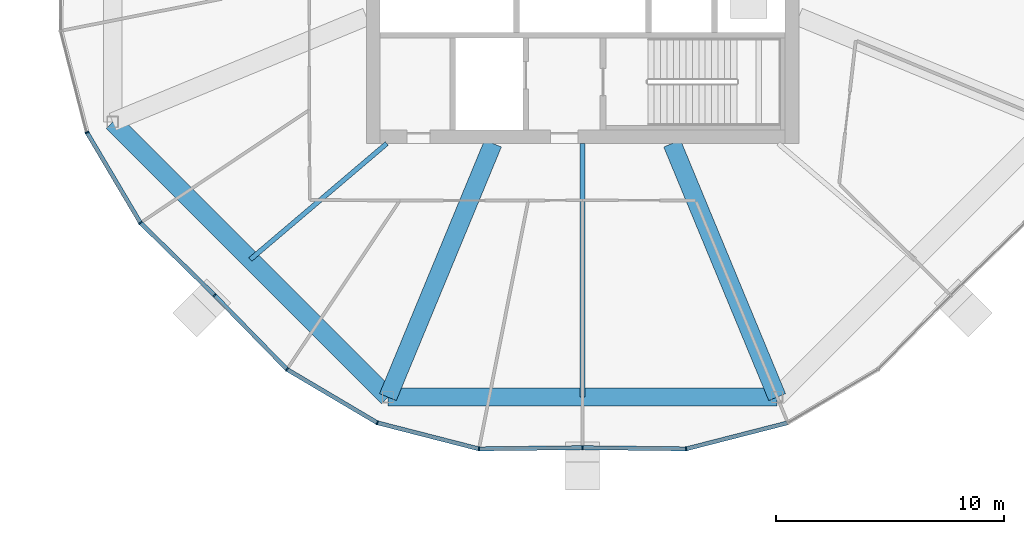
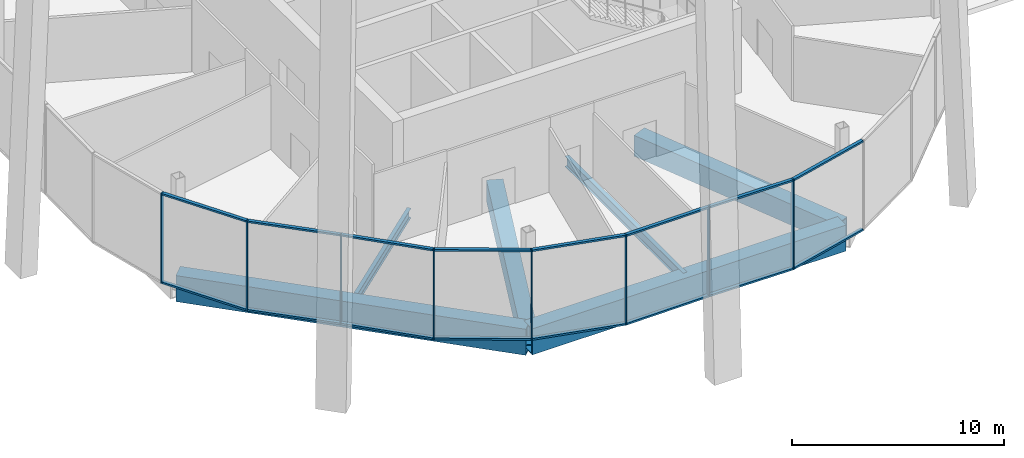
# One storey, part 3 of 28: 24 members, 6 beams, 3 elements without a shape of their own.
"""IFC4 building model written with IfcOpenShell, lengths in metres."""

from ifc_helpers import new_model, si_unit, direction, frame, origin, origin_2d, place, context, subcontext, project, spatial, rectangle, hollow_rectangle, i_section, extrude, material, material_profile, profile_set, type_object, element, aggregate, save


model = new_model("IFC4")

# Units and contexts
model_context = context("Model", 3, precision=1e-05, world=origin(), true_north=direction((0.0, 1.0)))
body_context = subcontext(model_context, "Body", "Model", "MODEL_VIEW")
ifc_project = project(units=[si_unit("LENGTHUNIT", "METRE"), si_unit("AREAUNIT", "SQUARE_METRE"), si_unit("VOLUMEUNIT", "CUBIC_METRE"), si_unit("PLANEANGLEUNIT", "RADIAN"), si_unit("MASSUNIT", "GRAM", prefix="KILO")], contexts=[model_context])

# Site, building, storey
site_placement = place(None, origin())
site = spatial("IfcSite", under=ifc_project, at=site_placement, CompositionType="ELEMENT")
building_placement = place(site_placement, origin())
building = spatial("IfcBuilding", under=site, at=building_placement, Name="Ogive Gate Towers", CompositionType="ELEMENT")
storey_placement = place(building_placement, frame((0.0, 0.0, 135.60009765625)))
storey = spatial("IfcBuildingStorey", under=building, at=storey_placement, Name="L32", CompositionType="ELEMENT", Elevation=135.60009765625)

# Beams
ifc_material_1 = material(Name="Steel SM460", Category="steel")
ifc_material_profile_1 = material_profile(ifc_material_1, hollow_rectangle(XDim=0.800048828125, YDim=1.5, WallThickness=0.06005859375, at=origin_2d()), Name="BX 1500x800x60")
ifc_profile_set_1 = profile_set([ifc_material_profile_1], Name="Steel SM460")
beam_type_1 = type_object("IfcBeamType", Name="Edge girder BX 1500x800x60", PredefinedType="BEAM", material=ifc_profile_set_1)
beam_1_placement = place(storey_placement, frame((-56.639404296875, -8.549072265625, -1.050048828125), z_axis=(0.707106781187, -0.707106781187, 0.0), x_axis=(0.707106781187, 0.707106781187, 0.0)))
element("IfcBeam", 1, at=beam_1_placement, inside=storey, type_object=beam_type_1, Name="T1/L32/SBM017", PredefinedType="BEAM", context=body_context, shape_type="SweptSolid", body=[
    extrude(hollow_rectangle(XDim=0.800048828125, YDim=1.5, WallThickness=0.06005859375, at=origin_2d()), origin(), (0.0, 0.0, 1.0), 17.098388671875),
])
beam_2_placement = place(storey_placement, frame((-44.549072265625, -20.639404296875, -1.050048828125), z_axis=(1.0, 0.0, 0.0), x_axis=(0.0, 1.0, 0.0)))
element("IfcBeam", 2, at=beam_2_placement, inside=storey, type_object=beam_type_1, Name="T1/L32/SBM018", PredefinedType="BEAM", context=body_context, shape_type="SweptSolid", body=[
    extrude(hollow_rectangle(XDim=0.800048828125, YDim=1.5, WallThickness=0.06005859375, at=origin_2d()), origin(), (0.0, 0.0, 1.0), 17.09814453125),
])
ifc_material_2 = material(Name="Steel SM355", Category="steel")
ifc_material_profile_2 = material_profile(ifc_material_2, i_section(OverallWidth=0.2099609375, OverallDepth=0.550048828125, WebThickness=0.010986328125, FlangeThickness=0.01708984375, FilletRadius=0.02392578125, at=origin_2d()), Name="IPE 550")
ifc_profile_set_2 = profile_set([ifc_material_profile_2], Name="Steel SM355")
beam_type_2 = type_object("IfcBeamType", Name="Radial floor beam IPE 550", PredefinedType="BEAM", material=ifc_profile_set_2)
beam_3_placement = place(storey_placement, frame((-44.60009765625, -9.5, -0.5751953125), z_axis=(-0.761988324045, -0.647590761222, 0.0), x_axis=(0.647590761222, -0.761988324045, 0.0)))
element("IfcBeam", 3, at=beam_3_placement, inside=storey, type_object=beam_type_2, Name="T1/L32/SBM002", PredefinedType="BEAM", context=body_context, shape_type="SweptSolid", body=[
    extrude(i_section(OverallWidth=0.2099609375, OverallDepth=0.550048828125, WebThickness=0.010986328125, FlangeThickness=0.01708984375, FilletRadius=0.02392578125, at=origin_2d()), origin(), (0.0, 0.0, 1.0), 7.866455078125),
])
ifc_material_profile_3 = material_profile(ifc_material_2, i_section(OverallWidth=0.219970703125, OverallDepth=0.60009765625, WebThickness=0.011962890625, FlangeThickness=0.01904296875, FilletRadius=0.02392578125, at=origin_2d()), Name="IPE 600")
ifc_profile_set_3 = profile_set([ifc_material_profile_3], Name="Steel SM355")
beam_type_3 = type_object("IfcBeamType", Name="Radial floor beam IPE 600", PredefinedType="BEAM", material=ifc_profile_set_3)
beam_4_placement = place(storey_placement, frame((-36.0, -9.5, -0.60009765625), z_axis=(0.0, -1.0, 0.0), x_axis=(1.0, 0.0, 0.0)))
element("IfcBeam", 4, at=beam_4_placement, inside=storey, type_object=beam_type_3, Name="T1/L32/SBM004", PredefinedType="BEAM", context=body_context, shape_type="SweptSolid", body=[
    extrude(i_section(OverallWidth=0.219970703125, OverallDepth=0.60009765625, WebThickness=0.011962890625, FlangeThickness=0.01904296875, FilletRadius=0.02392578125, at=origin_2d()), origin(), (0.0, 0.0, 1.0), 11.139404296875),
])

# Curtain wall, members
ifc_material_3 = material(Name="Pale metal aluminium", Category="aluminium")
curtain_wall_type = type_object("IfcCurtainWallType", Name="Tower unitised wall, high zone", PredefinedType="NOTDEFINED", material=ifc_material_3)
curtain_wall_1_placement = place(storey_placement, origin())
curtain_wall_1 = element("IfcCurtainWall", 5, at=curtain_wall_1_placement, inside=storey, type_object=curtain_wall_type, Name="CW2 T1 ECW05", PredefinedType="NOTDEFINED")
ifc_material_profile_4 = material_profile(ifc_material_3, rectangle(XDim=0.179931640625, YDim=0.06005859375, at=origin_2d()), Name="60 x 180 aluminium box")
ifc_profile_set_4 = profile_set([ifc_material_profile_4], Name="Pale metal aluminium")
member_type_1 = type_object("IfcMemberType", Name="Tower unitised wall, high zone mullion 60 x 180", PredefinedType="MULLION", material=ifc_profile_set_4)
member_1_placement = place(storey_placement, frame((-57.767578125, -9.016357421875, -0.300048828125), z_axis=(0.0, 0.0, 1.0), x_axis=(-0.923879532511, -0.382683432365, 0.0)))
member_1 = element("IfcMember", 6, at=member_1_placement, type_object=member_type_1, Name="CW2 mullion", PredefinedType="MULLION", context=body_context, shape_type="SweptSolid", body=[
    extrude(rectangle(XDim=0.179931640625, YDim=0.06005859375, at=origin_2d()), origin(), (0.0, 0.0, 1.0), 5.199951171875),
])
member_2_placement = place(storey_placement, frame((-55.419677734375, -12.984130859375, -0.300048828125), z_axis=(0.0, 0.0, 1.0), x_axis=(-0.78650405792, -0.617585109014, 0.0)))
member_2 = element("IfcMember", 7, at=member_2_placement, type_object=member_type_1, Name="CW2 mullion", PredefinedType="MULLION", context=body_context, shape_type="SweptSolid", body=[
    extrude(rectangle(XDim=0.179931640625, YDim=0.06005859375, at=origin_2d()), origin(), (0.0, 0.0, 1.0), 5.199951171875),
])
member_3_placement = place(storey_placement, frame((-52.16455078125, -16.164306640625, -0.300048828125), z_axis=(0.0, 0.0, 1.0), x_axis=(-0.698814894711, -0.715302553421, 0.0)))
member_3 = element("IfcMember", 8, at=member_3_placement, type_object=member_type_1, Name="CW2 mullion", PredefinedType="MULLION", context=body_context, shape_type="SweptSolid", body=[
    extrude(rectangle(XDim=0.179931640625, YDim=0.06005859375, at=origin_2d()), origin(), (0.0, 0.0, 1.0), 5.199951171875),
])

curtain_wall_2_placement = place(storey_placement, origin())
curtain_wall_2 = element("IfcCurtainWall", 9, at=curtain_wall_2_placement, inside=storey, type_object=curtain_wall_type, Name="CW2 T1 ECW06", PredefinedType="NOTDEFINED")
member_4_placement = place(storey_placement, frame((-48.984130859375, -19.419677734375, -0.300048828125), z_axis=(0.0, 0.0, 1.0), x_axis=(-0.617585109014, -0.78650405792, 0.0)))
member_4 = element("IfcMember", 10, at=member_4_placement, type_object=member_type_1, Name="CW2 mullion", PredefinedType="MULLION", context=body_context, shape_type="SweptSolid", body=[
    extrude(rectangle(XDim=0.179931640625, YDim=0.06005859375, at=origin_2d()), origin(), (0.0, 0.0, 1.0), 5.199951171875),
])
member_5_placement = place(storey_placement, frame((-45.016357421875, -21.767578125, -0.300048828125), z_axis=(0.0, 0.0, 1.0), x_axis=(-0.382683432365, -0.923879532511, 0.0)))
member_5 = element("IfcMember", 11, at=member_5_placement, type_object=member_type_1, Name="CW2 mullion", PredefinedType="MULLION", context=body_context, shape_type="SweptSolid", body=[
    extrude(rectangle(XDim=0.179931640625, YDim=0.06005859375, at=origin_2d()), origin(), (0.0, 0.0, 1.0), 5.199951171875),
])
member_6_placement = place(storey_placement, frame((-40.550537109375, -22.9130859375, -0.300048828125), z_axis=(0.0, 0.0, 1.0), x_axis=(-0.119443734243, -0.992840971329, 0.0)))
member_6 = element("IfcMember", 12, at=member_6_placement, type_object=member_type_1, Name="CW2 mullion", PredefinedType="MULLION", context=body_context, shape_type="SweptSolid", body=[
    extrude(rectangle(XDim=0.179931640625, YDim=0.06005859375, at=origin_2d()), origin(), (0.0, 0.0, 1.0), 5.199951171875),
])
member_7_placement = place(storey_placement, frame((-36.0, -22.860107421875, -0.300048828125), z_axis=(0.0, 0.0, 1.0), x_axis=(0.011641083172, -0.999932240296, 0.0)))
member_7 = element("IfcMember", 13, at=member_7_placement, type_object=member_type_1, Name="CW2 mullion", PredefinedType="MULLION", context=body_context, shape_type="SweptSolid", body=[
    extrude(rectangle(XDim=0.179931640625, YDim=0.06005859375, at=origin_2d()), origin(), (0.0, 0.0, 1.0), 5.199951171875),
])

# Curtain wall, member
curtain_wall_3_placement = place(storey_placement, origin())
curtain_wall_3 = element("IfcCurtainWall", 14, at=curtain_wall_3_placement, inside=storey, type_object=curtain_wall_type, Name="CW2 T1 ECW07", PredefinedType="NOTDEFINED")
member_8_placement = place(storey_placement, frame((-31.449462890625, -22.9130859375, -0.300048828125), z_axis=(0.0, 0.0, 1.0), x_axis=(0.119443734243, -0.992840971329, 0.0)))
member_8 = element("IfcMember", 15, at=member_8_placement, type_object=member_type_1, Name="CW2 mullion", PredefinedType="MULLION", context=body_context, shape_type="SweptSolid", body=[
    extrude(rectangle(XDim=0.179931640625, YDim=0.06005859375, at=origin_2d()), origin(), (0.0, 0.0, 1.0), 5.199951171875),
])

# Member
ifc_material_profile_5 = material_profile(ifc_material_3, rectangle(XDim=0.179931640625, YDim=0.10009765625, at=origin_2d()), Name="100 x 180 aluminium box")
ifc_profile_set_5 = profile_set([ifc_material_profile_5], Name="Pale metal aluminium")
member_type_2 = type_object("IfcMemberType", Name="Tower unitised wall, high zone transom 100 x 180", PredefinedType="USERDEFINED", material=ifc_profile_set_5)
member_9_placement = place(storey_placement, frame((-57.7529296875, -9.041015625, 4.849853515625), z_axis=(0.509242279072, -0.860623205128, 0.0), x_axis=(0.860623205128, 0.509242279072, 0.0)))
member_9 = element("IfcMember", 16, at=member_9_placement, type_object=member_type_2, Name="CW2 transom", ObjectType="TRANSOM", PredefinedType="USERDEFINED", context=body_context, shape_type="SweptSolid", body=[
    extrude(rectangle(XDim=0.179931640625, YDim=0.10009765625, at=origin_2d()), origin(), (0.0, 0.0, 1.0), 4.552978515625),
])

member_10_placement = place(storey_placement, frame((-57.7529296875, -9.041015625, -0.25), z_axis=(0.509242279072, -0.860623205128, 0.0), x_axis=(0.860623205128, 0.509242279072, 0.0)))
member_10 = element("IfcMember", 17, at=member_10_placement, type_object=member_type_2, Name="CW2 transom", ObjectType="TRANSOM", PredefinedType="USERDEFINED", context=body_context, shape_type="SweptSolid", body=[
    extrude(rectangle(XDim=0.179931640625, YDim=0.10009765625, at=origin_2d()), origin(), (0.0, 0.0, 1.0), 4.552978515625),
])

member_11_placement = place(storey_placement, frame((-55.399169921875, -13.004150390625, 4.849853515625), z_axis=(0.715292777152, -0.698824901498, 0.0), x_axis=(0.698824901498, 0.715292777152, 0.0)))
member_11 = element("IfcMember", 18, at=member_11_placement, type_object=member_type_2, Name="CW2 transom", ObjectType="TRANSOM", PredefinedType="USERDEFINED", context=body_context, shape_type="SweptSolid", body=[
    extrude(rectangle(XDim=0.179931640625, YDim=0.10009765625, at=origin_2d()), origin(), (0.0, 0.0, 1.0), 4.491943359375),
])

member_12_placement = place(storey_placement, frame((-55.399169921875, -13.004150390625, -0.25), z_axis=(0.715292777152, -0.698824901498, 0.0), x_axis=(0.698824901498, 0.715292777152, 0.0)))
member_12 = element("IfcMember", 19, at=member_12_placement, type_object=member_type_2, Name="CW2 transom", ObjectType="TRANSOM", PredefinedType="USERDEFINED", context=body_context, shape_type="SweptSolid", body=[
    extrude(rectangle(XDim=0.179931640625, YDim=0.10009765625, at=origin_2d()), origin(), (0.0, 0.0, 1.0), 4.491943359375),
])

aggregate(curtain_wall_1, [member_1, member_2, member_9, member_10, member_3, member_11, member_12])

member_13_placement = place(storey_placement, frame((-52.143310546875, -16.18603515625, 4.849853515625), z_axis=(0.698824901498, -0.715292777152, 0.0), x_axis=(0.715292777152, 0.698824901498, 0.0)))
member_13 = element("IfcMember", 20, at=member_13_placement, type_object=member_type_2, Name="CW2 transom", ObjectType="TRANSOM", PredefinedType="USERDEFINED", context=body_context, shape_type="SweptSolid", body=[
    extrude(rectangle(XDim=0.179931640625, YDim=0.10009765625, at=origin_2d()), origin(), (0.0, 0.0, 1.0), 4.491943359375),
])

member_14_placement = place(storey_placement, frame((-52.143310546875, -16.18603515625, -0.25), z_axis=(0.698824901498, -0.715292777152, 0.0), x_axis=(0.715292777152, 0.698824901498, 0.0)))
member_14 = element("IfcMember", 21, at=member_14_placement, type_object=member_type_2, Name="CW2 transom", ObjectType="TRANSOM", PredefinedType="USERDEFINED", context=body_context, shape_type="SweptSolid", body=[
    extrude(rectangle(XDim=0.179931640625, YDim=0.10009765625, at=origin_2d()), origin(), (0.0, 0.0, 1.0), 4.491943359375),
])

member_15_placement = place(storey_placement, frame((-48.95947265625, -19.434326171875, 4.849853515625), z_axis=(0.860623205128, -0.509242279072, 0.0), x_axis=(0.509242279072, 0.860623205128, 0.0)))
member_15 = element("IfcMember", 22, at=member_15_placement, type_object=member_type_2, Name="CW2 transom", ObjectType="TRANSOM", PredefinedType="USERDEFINED", context=body_context, shape_type="SweptSolid", body=[
    extrude(rectangle(XDim=0.179931640625, YDim=0.10009765625, at=origin_2d()), origin(), (0.0, 0.0, 1.0), 4.552978515625),
])

member_16_placement = place(storey_placement, frame((-48.95947265625, -19.434326171875, -0.25), z_axis=(0.860623205128, -0.509242279072, 0.0), x_axis=(0.509242279072, 0.860623205128, 0.0)))
member_16 = element("IfcMember", 23, at=member_16_placement, type_object=member_type_2, Name="CW2 transom", ObjectType="TRANSOM", PredefinedType="USERDEFINED", context=body_context, shape_type="SweptSolid", body=[
    extrude(rectangle(XDim=0.179931640625, YDim=0.10009765625, at=origin_2d()), origin(), (0.0, 0.0, 1.0), 4.552978515625),
])

member_17_placement = place(storey_placement, frame((-44.98876953125, -21.774658203125, 4.849853515625), z_axis=(0.96863872171, -0.248473392549, 0.0), x_axis=(0.248473392549, 0.96863872171, 0.0)))
member_17 = element("IfcMember", 24, at=member_17_placement, type_object=member_type_2, Name="CW2 transom", ObjectType="TRANSOM", PredefinedType="USERDEFINED", context=body_context, shape_type="SweptSolid", body=[
    extrude(rectangle(XDim=0.179931640625, YDim=0.10009765625, at=origin_2d()), origin(), (0.0, 0.0, 1.0), 4.55322265625),
])

member_18_placement = place(storey_placement, frame((-44.98876953125, -21.774658203125, -0.25), z_axis=(0.96863872171, -0.248473392549, 0.0), x_axis=(0.248473392549, 0.96863872171, 0.0)))
member_18 = element("IfcMember", 25, at=member_18_placement, type_object=member_type_2, Name="CW2 transom", ObjectType="TRANSOM", PredefinedType="USERDEFINED", context=body_context, shape_type="SweptSolid", body=[
    extrude(rectangle(XDim=0.179931640625, YDim=0.10009765625, at=origin_2d()), origin(), (0.0, 0.0, 1.0), 4.55322265625),
])

member_19_placement = place(storey_placement, frame((-40.52197265625, -22.91259765625, 4.849853515625), z_axis=(0.999932366003, 0.01163028025, 0.0), x_axis=(-0.01163028025, 0.999932366003, 0.0)))
member_19 = element("IfcMember", 26, at=member_19_placement, type_object=member_type_2, Name="CW2 transom", ObjectType="TRANSOM", PredefinedType="USERDEFINED", context=body_context, shape_type="SweptSolid", body=[
    extrude(rectangle(XDim=0.179931640625, YDim=0.10009765625, at=origin_2d()), origin(), (0.0, 0.0, 1.0), 4.4921875),
])

member_20_placement = place(storey_placement, frame((-40.52197265625, -22.91259765625, -0.25), z_axis=(0.999932366003, 0.01163028025, 0.0), x_axis=(-0.01163028025, 0.999932366003, 0.0)))
member_20 = element("IfcMember", 27, at=member_20_placement, type_object=member_type_2, Name="CW2 transom", ObjectType="TRANSOM", PredefinedType="USERDEFINED", context=body_context, shape_type="SweptSolid", body=[
    extrude(rectangle(XDim=0.179931640625, YDim=0.10009765625, at=origin_2d()), origin(), (0.0, 0.0, 1.0), 4.4921875),
])

aggregate(curtain_wall_2, [member_4, member_13, member_14, member_5, member_15, member_16, member_6, member_17, member_18, member_7, member_19, member_20])

member_21_placement = place(storey_placement, frame((-35.969970703125, -22.8603515625, 4.849853515625), z_axis=(0.999932366003, -0.01163028025, 0.0), x_axis=(0.01163028025, 0.999932366003, 0.0)))
member_21 = element("IfcMember", 28, at=member_21_placement, type_object=member_type_2, Name="CW2 transom", ObjectType="TRANSOM", PredefinedType="USERDEFINED", context=body_context, shape_type="SweptSolid", body=[
    extrude(rectangle(XDim=0.179931640625, YDim=0.10009765625, at=origin_2d()), origin(), (0.0, 0.0, 1.0), 4.4921875),
])

member_22_placement = place(storey_placement, frame((-35.969970703125, -22.8603515625, -0.25), z_axis=(0.999932366003, -0.01163028025, 0.0), x_axis=(0.01163028025, 0.999932366003, 0.0)))
member_22 = element("IfcMember", 29, at=member_22_placement, type_object=member_type_2, Name="CW2 transom", ObjectType="TRANSOM", PredefinedType="USERDEFINED", context=body_context, shape_type="SweptSolid", body=[
    extrude(rectangle(XDim=0.179931640625, YDim=0.10009765625, at=origin_2d()), origin(), (0.0, 0.0, 1.0), 4.4921875),
])

member_23_placement = place(storey_placement, frame((-31.421630859375, -22.906005859375, 4.849853515625), z_axis=(0.96863872171, 0.248473392549, 0.0), x_axis=(-0.248473392549, 0.96863872171, 0.0)))
member_23 = element("IfcMember", 30, at=member_23_placement, type_object=member_type_2, Name="CW2 transom", ObjectType="TRANSOM", PredefinedType="USERDEFINED", context=body_context, shape_type="SweptSolid", body=[
    extrude(rectangle(XDim=0.179931640625, YDim=0.10009765625, at=origin_2d()), origin(), (0.0, 0.0, 1.0), 4.55322265625),
])

member_24_placement = place(storey_placement, frame((-31.421630859375, -22.906005859375, -0.25), z_axis=(0.96863872171, 0.248473392549, 0.0), x_axis=(-0.248473392549, 0.96863872171, 0.0)))
member_24 = element("IfcMember", 31, at=member_24_placement, type_object=member_type_2, Name="CW2 transom", ObjectType="TRANSOM", PredefinedType="USERDEFINED", context=body_context, shape_type="SweptSolid", body=[
    extrude(rectangle(XDim=0.179931640625, YDim=0.10009765625, at=origin_2d()), origin(), (0.0, 0.0, 1.0), 4.55322265625),
])

aggregate(curtain_wall_3, [member_8, member_21, member_22, member_23, member_24])

# Beams
ifc_material_profile_6 = material_profile(ifc_material_1, hollow_rectangle(XDim=0.800048828125, YDim=1.199951171875, WallThickness=0.050048828125, at=origin_2d()), Name="BX 1200x800x50")
ifc_profile_set_6 = profile_set([ifc_material_profile_6], Name="Steel SM460")
beam_type_4 = type_object("IfcBeamType", Name="Transfer radial beam BX 1200x800x50", PredefinedType="BEAM", material=ifc_profile_set_6)
for number, where, z_axis, x_axis, name in (
    (32, (-39.93505859375, -9.5, -0.900146484375), (-0.382677863518, -0.923881839184, 0.0), (0.923881839184, -0.382677863518, 0.0), "T1/L32/SBM003"),
    (33, (-32.06494140625, -9.5, -0.900146484375), (0.382677863518, -0.923881839184, 0.0), (0.923881839184, 0.382677863518, 0.0), "T1/L32/SBM005"),
):
    element("IfcBeam", number, at=place(storey_placement, frame(where, z_axis=z_axis, x_axis=x_axis)), inside=storey, type_object=beam_type_4, Name=name, PredefinedType="BEAM", context=body_context, shape_type="SweptSolid", body=[
        extrude(hollow_rectangle(XDim=0.800048828125, YDim=1.199951171875, WallThickness=0.050048828125, at=origin_2d()), origin(), (0.0, 0.0, 1.0), 12.05712890625),
    ])

save(model, "model.ifc")
